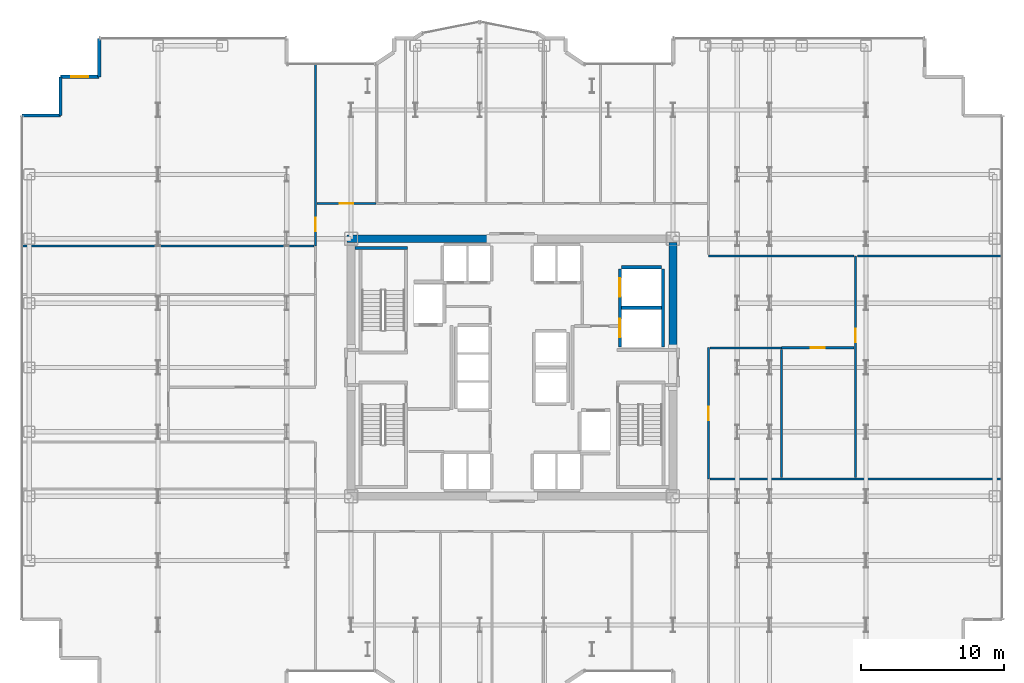
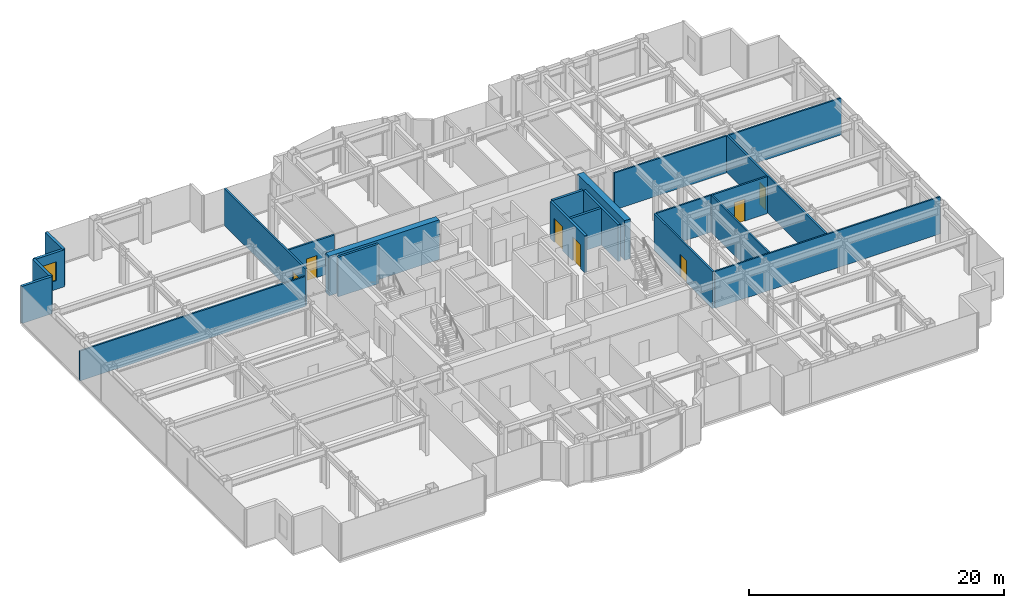
# One storey, part 23 of 26: 22 walls, 7 doors, 1 window, 8 openings.
"""IFC4 building model written with IfcOpenShell, lengths in metres."""

from ifc_helpers import new_model, si_unit, direction, frame, frame_2d, origin, place, context, subcontext, project, spatial, rectangle, extrude, source, transform, mapped, material, layer, layer_set, type_object, element, fill, save


model = new_model("IFC4")

# Units and contexts
model_context = context("Model", 3, precision=1e-05, world=origin(), true_north=direction((0.0, 1.0)))
body_context = subcontext(model_context, "Body", "Model", "MODEL_VIEW")
ifc_project = project(units=[si_unit("LENGTHUNIT", "METRE"), si_unit("AREAUNIT", "SQUARE_METRE"), si_unit("VOLUMEUNIT", "CUBIC_METRE"), si_unit("PLANEANGLEUNIT", "RADIAN"), si_unit("MASSUNIT", "GRAM", prefix="KILO")], contexts=[model_context])

# Site, building, storey
site_placement = place(None, origin())
site = spatial("IfcSite", under=ifc_project, at=site_placement, CompositionType="ELEMENT")
building_placement = place(site_placement, origin())
building = spatial("IfcBuilding", under=site, at=building_placement, Name="Nefas-Gora Pilgrimage Tower", CompositionType="ELEMENT")
storey_placement = place(building_placement, frame((0.0, 0.0, 117.39990234375)))
storey = spatial("IfcBuildingStorey", under=building, at=storey_placement, Name="L28", CompositionType="ELEMENT", Elevation=117.39990234375)

# Walls
ifc_material_1 = material(Name="Concrete C60/75", Category="concrete")
ifc_layer_1 = layer(ifc_material_1, 0.550048828125)
ifc_layer_set_1 = layer_set([ifc_layer_1], Name="Concrete C60/75")
wall_type_1 = type_object("IfcWallType", Name="SW-CORE-550", PredefinedType="SHEAR", material=ifc_layer_set_1)
shared_shape_1 = source(origin(), body_context, "Body", "SweptSolid", [
    extrude(rectangle(XDim=9.974853515625, YDim=0.550048828125, at=frame_2d((4.9873046875, 0.0))), origin(), (0.0, 0.0, 1.0), 3.800048828125),
])
wall_1_placement = place(storey_placement, frame((-11.52490234375, 9.0, 0.0), z_axis=(0.0, 0.0, 1.0), x_axis=(1.0, 0.0, 0.0)))
element("IfcWall", 1, at=wall_1_placement, inside=storey, type_object=wall_type_1, Name="L28 Core Shear Wall N-West", PredefinedType="SHEAR", context=body_context, shape_type="MappedRepresentation", body=[
    mapped(shared_shape_1, transform((0.0, 0.0, 0.0), x_axis=(1.0, 0.0, 0.0), y_axis=(0.0, 1.0, 0.0), z_axis=(0.0, 0.0, 1.0), scale=1.0)),
])
shared_shape_2 = source(origin(), body_context, "Body", "SweptSolid", [
    extrude(rectangle(XDim=7.375, YDim=0.550048828125, at=frame_2d((3.6875, 0.0))), origin(), (0.0, 0.0, 1.0), 3.800048828125),
])
wall_2_placement = place(storey_placement, frame((11.25, 1.35009765625, 0.0), z_axis=(0.0, 0.0, 1.0), x_axis=(0.0, 1.0, 0.0)))
element("IfcWall", 2, at=wall_2_placement, inside=storey, type_object=wall_type_1, Name="L28 Core Shear Wall E-North", PredefinedType="SHEAR", context=body_context, shape_type="MappedRepresentation", body=[
    mapped(shared_shape_2, transform((0.0, 0.0, 0.0), x_axis=(1.0, 0.0, 0.0), y_axis=(0.0, 1.0, 0.0), z_axis=(0.0, 0.0, 1.0), scale=1.0)),
])
ifc_material_2 = material(Name="Precast concrete C45/55", Category="concrete")
ifc_layer_2 = layer(ifc_material_2, 0.239990234375)
ifc_layer_set_2 = layer_set([ifc_layer_2], Name="Precast concrete C45/55")
wall_type_2 = type_object("IfcWallType", Name="EW-SERR-240", PredefinedType="SHEAR", material=ifc_layer_set_2)
shared_shape_3 = source(origin(), body_context, "Body", "SweptSolid", [
    extrude(rectangle(XDim=2.699951171875, YDim=0.239990234375, at=frame_2d((1.35009765625, 0.0))), origin(), (0.0, 0.0, 1.0), 3.550048828125),
])
wall_3_placement = place(storey_placement, frame((-28.8701171875, 23.02001953125, 0.0), z_axis=(0.0, 0.0, 1.0), x_axis=(0.0, -1.0, 0.0)))
element("IfcWall", 3, at=wall_3_placement, inside=storey, type_object=wall_type_2, Name="L28 Serrated Corner Shear Pier Wall 20", PredefinedType="SHEAR", context=body_context, shape_type="MappedRepresentation", body=[
    mapped(shared_shape_3, transform((0.0, 0.0, 0.0), x_axis=(1.0, 0.0, 0.0), y_axis=(0.0, 1.0, 0.0), z_axis=(0.0, 0.0, 1.0), scale=1.0)),
])

# Wall, opening, window
wall_4_placement = place(storey_placement, frame((-28.8701171875, 20.320068359375, 0.0), z_axis=(0.0, 0.0, 1.0), x_axis=(-1.0, 0.0, 0.0)))
wall_4 = element("IfcWall", 4, at=wall_4_placement, inside=storey, type_object=wall_type_2, Name="L28 Serrated Corner Shear Pier Wall 21", PredefinedType="SHEAR", context=body_context, shape_type="MappedRepresentation", body=[
    mapped(shared_shape_3, transform((0.0, 0.0, 0.0), x_axis=(1.0, 0.0, 0.0), y_axis=(0.0, 1.0, 0.0), z_axis=(0.0, 0.0, 1.0), scale=1.0)),
])
opening_1_placement = place(wall_4_placement, frame((0.75, 0.0, 0.85009765625)))
opening_1 = element("IfcOpeningElement", 5, at=opening_1_placement, cuts=wall_4, Name="Opening W-V1", PredefinedType="OPENING", context=body_context, shape_type="SweptSolid", body=[
    extrude(rectangle(XDim=1.199951171875, YDim=1.800048828125, at=frame_2d((0.60009765625, 0.89990234375))), frame((0.0, 0.1298828125, 0.0), z_axis=(0.0, -1.0, 0.0), x_axis=(1.0, 0.0, 0.0)), (0.0, 0.0, 1.0), 0.260009765625),
])
ifc_material_3 = material(Name="Dark ceramic-fritted operable aluminium-glass window", Category="aluminium")
window_type = type_object("IfcWindowType", Name="WIN-VENT-1200x1800", PartitioningType="SINGLE_PANEL", PredefinedType="WINDOW", material=ifc_material_3)
shared_shape_4 = source(origin(), body_context, "Body", "SweptSolid", [
    extrude(rectangle(XDim=1.199951171875, YDim=1.800048828125, at=frame_2d((0.60009765625, 0.89990234375))), frame((0.0, 0.030029296875, 0.0), z_axis=(0.0, -1.0, 0.0), x_axis=(1.0, 0.0, 0.0)), (0.0, 0.0, 1.0), 0.06005859375),
])
window_placement = place(opening_1_placement, origin())
window = element("IfcWindow", 6, at=window_placement, inside=storey, type_object=window_type, Name="L28 Operable Parallel-Outswing Window 21", OverallHeight=1.800048828125, OverallWidth=1.199951171875, PartitioningType="SINGLE_PANEL", PredefinedType="WINDOW", context=body_context, shape_type="MappedRepresentation", body=[
    mapped(shared_shape_4, transform((0.0, 0.0, 0.0), x_axis=(1.0, 0.0, 0.0), y_axis=(0.0, 1.0, 0.0), z_axis=(0.0, 0.0, 1.0), scale=1.0)),
])
fill(opening_1, window)

# Walls
for number, where, z_axis, x_axis, name in (
    (7, (-31.570068359375, 20.320068359375, 0.0), (0.0, 0.0, 1.0), (0.0, -1.0, 0.0), "L28 Serrated Corner Shear Pier Wall 22"),
    (8, (-31.570068359375, 17.6201171875, 0.0), (0.0, 0.0, 1.0), (-1.0, 0.0, 0.0), "L28 Serrated Corner Shear Pier Wall 23"),
):
    element("IfcWall", number, at=place(storey_placement, frame(where, z_axis=z_axis, x_axis=x_axis)), inside=storey, type_object=wall_type_2, Name=name, PredefinedType="SHEAR", context=body_context, shape_type="MappedRepresentation", body=[
        mapped(shared_shape_3, transform((0.0, 0.0, 0.0), x_axis=(1.0, 0.0, 0.0), y_axis=(0.0, 1.0, 0.0), z_axis=(0.0, 0.0, 1.0), scale=1.0)),
    ])
ifc_material_4 = material(Name="Concrete C45/55", Category="concrete")
ifc_layer_3 = layer(ifc_material_4, 0.199951171875)
ifc_layer_set_3 = layer_set([ifc_layer_3], Name="Concrete C45/55")
wall_type_3 = type_object("IfcWallType", Name="IW-STAIR-200", PredefinedType="SOLIDWALL", material=ifc_layer_set_3)
shared_shape_5 = source(origin(), body_context, "Body", "SweptSolid", [
    extrude(rectangle(XDim=3.679931640625, YDim=0.199951171875, at=frame_2d((1.83984375, 0.0))), origin(), (0.0, 0.0, 1.0), 3.800048828125),
])
wall_5_placement = place(storey_placement, frame((-7.300048828125, 8.35009765625, 0.0), z_axis=(0.0, 0.0, 1.0), x_axis=(-1.0, 0.0, 0.0)))
element("IfcWall", 9, at=wall_5_placement, inside=storey, type_object=wall_type_3, Name="L28 Stairwell Shear Wall ST-01-far", PredefinedType="SOLIDWALL", context=body_context, shape_type="MappedRepresentation", body=[
    mapped(shared_shape_5, transform((0.0, 0.0, 0.0), x_axis=(1.0, 0.0, 0.0), y_axis=(0.0, 1.0, 0.0), z_axis=(0.0, 0.0, 1.0), scale=1.0)),
])

# Wall, openings, doors
ifc_material_5 = material(Name="Concrete C40/50", Category="concrete")
ifc_layer_4 = layer(ifc_material_5, 0.219970703125)
ifc_layer_set_4 = layer_set([ifc_layer_4], Name="Concrete C40/50")
wall_type_4 = type_object("IfcWallType", Name="IW-SHAFT-220", PredefinedType="SOLIDWALL", material=ifc_layer_set_4)
shared_shape_6 = source(origin(), body_context, "Body", "SweptSolid", [
    extrude(rectangle(XDim=5.449951171875, YDim=0.219970703125, at=frame_2d((2.72509765625, 0.0))), origin(), (0.0, 0.0, 1.0), 3.53515625),
])
wall_6_placement = place(storey_placement, frame((7.5400390625, 6.89990234375, 0.0), z_axis=(0.0, 0.0, 1.0), x_axis=(0.0, -1.0, 0.0)))
wall_6 = element("IfcWall", 10, at=wall_6_placement, inside=storey, type_object=wall_type_4, Name="L28 Hoistway Wall SL-01-02-W", PredefinedType="SOLIDWALL", context=body_context, shape_type="MappedRepresentation", body=[
    mapped(shared_shape_6, transform((0.0, 0.0, 0.0), x_axis=(1.0, 0.0, 0.0), y_axis=(0.0, 1.0, 0.0), z_axis=(0.0, 0.0, 1.0), scale=1.0)),
])
opening_2_placement = place(wall_6_placement, frame((3.5, 0.0, 0.0)))
opening_2 = element("IfcOpeningElement", 11, at=opening_2_placement, cuts=wall_6, Name="Opening LD-SV", PredefinedType="OPENING", context=body_context, shape_type="SweptSolid", body=[
    extrude(rectangle(XDim=1.300048828125, YDim=2.300048828125, at=frame_2d((0.64990234375, 1.14990234375))), frame((0.0, 0.119873046875, 0.0), z_axis=(0.0, -1.0, 0.0), x_axis=(1.0, 0.0, 0.0)), (0.0, 0.0, 1.0), 0.239990234375),
])
opening_3_placement = place(wall_6_placement, frame((0.64990234375, 0.0, 0.0)))
opening_3 = element("IfcOpeningElement", 12, at=opening_3_placement, cuts=wall_6, Name="Opening LD-SV", PredefinedType="OPENING", context=body_context, shape_type="SweptSolid", body=[
    extrude(rectangle(XDim=1.300048828125, YDim=2.300048828125, at=frame_2d((0.64990234375, 1.14990234375))), frame((0.0, 0.119873046875, 0.0), z_axis=(0.0, -1.0, 0.0), x_axis=(1.0, 0.0, 0.0)), (0.0, 0.0, 1.0), 0.239990234375),
])
ifc_material_6 = material(Name="Heavy goods sliding lift landing door")
door_type_1 = type_object("IfcDoorType", Name="DR-LIFT-SERV-1300", OperationType="SLIDING_TO_RIGHT", PredefinedType="DOOR", material=ifc_material_6)
shared_shape_7 = source(origin(), body_context, "Body", "SweptSolid", [
    extrude(rectangle(XDim=1.300048828125, YDim=2.300048828125, at=frame_2d((0.64990234375, 1.14990234375))), frame((0.0, 0.02490234375, 0.0), z_axis=(0.0, -1.0, 0.0), x_axis=(1.0, 0.0, 0.0)), (0.0, 0.0, 1.0), 0.050048828125),
])
door_1_placement = place(opening_2_placement, origin())
door_1 = element("IfcDoor", 13, at=door_1_placement, inside=storey, type_object=door_type_1, Name="L28 Sliding Lift Landing Door SL-01", OperationType="SLIDING_TO_RIGHT", OverallHeight=2.300048828125, OverallWidth=1.300048828125, PredefinedType="DOOR", context=body_context, shape_type="MappedRepresentation", body=[
    mapped(shared_shape_7, transform((0.0, 0.0, 0.0), x_axis=(1.0, 0.0, 0.0), y_axis=(0.0, 1.0, 0.0), z_axis=(0.0, 0.0, 1.0), scale=1.0)),
])
fill(opening_2, door_1)
door_2_placement = place(opening_3_placement, origin())
door_2 = element("IfcDoor", 14, at=door_2_placement, inside=storey, type_object=door_type_1, Name="L28 Sliding Lift Landing Door SL-02", OperationType="SLIDING_TO_RIGHT", OverallHeight=2.300048828125, OverallWidth=1.300048828125, PredefinedType="DOOR", context=body_context, shape_type="MappedRepresentation", body=[
    mapped(shared_shape_7, transform((0.0, 0.0, 0.0), x_axis=(1.0, 0.0, 0.0), y_axis=(0.0, 1.0, 0.0), z_axis=(0.0, 0.0, 1.0), scale=1.0)),
])
fill(opening_3, door_2)

# Walls
wall_7_placement = place(storey_placement, frame((10.56005859375, 1.449951171875, 0.0), z_axis=(0.0, 0.0, 1.0), x_axis=(0.0, 1.0, 0.0)))
element("IfcWall", 15, at=wall_7_placement, inside=storey, type_object=wall_type_4, Name="L28 Hoistway Wall SL-01-02-E", PredefinedType="SOLIDWALL", context=body_context, shape_type="MappedRepresentation", body=[
    mapped(shared_shape_6, transform((0.0, 0.0, 0.0), x_axis=(1.0, 0.0, 0.0), y_axis=(0.0, 1.0, 0.0), z_axis=(0.0, 0.0, 1.0), scale=1.0)),
])
shared_shape_8 = source(origin(), body_context, "Body", "SweptSolid", [
    extrude(rectangle(XDim=2.780029296875, YDim=0.219970703125, at=frame_2d((1.39013671875, 0.0))), origin(), (0.0, 0.0, 1.0), 3.53515625),
])
for number, where, z_axis, x_axis, name in (
    (16, (7.659912109375, 4.175048828125, 0.0), (0.0, 0.0, 1.0), (1.0, 0.0, 0.0), "L28 Hoistway Wall SL-01-02-DIV"),
    (17, (10.43994140625, 7.010009765625, 0.0), (0.0, 0.0, 1.0), (-1.0, 0.0, 0.0), "L28 Hoistway Wall SL-02-N"),
):
    element("IfcWall", number, at=place(storey_placement, frame(where, z_axis=z_axis, x_axis=x_axis)), inside=storey, type_object=wall_type_4, Name=name, PredefinedType="SOLIDWALL", context=body_context, shape_type="MappedRepresentation", body=[
        mapped(shared_shape_8, transform((0.0, 0.0, 0.0), x_axis=(1.0, 0.0, 0.0), y_axis=(0.0, 1.0, 0.0), z_axis=(0.0, 0.0, 1.0), scale=1.0)),
    ])

# Wall, opening, door
ifc_material_7 = material(Name="Gypsum acoustic stud partition")
ifc_layer_5 = layer(ifc_material_7, 0.159912109375)
ifc_layer_set_5 = layer_set([ifc_layer_5], Name="Gypsum acoustic stud partition")
wall_type_5 = type_object("IfcWallType", Name="IW-CORR-160", PredefinedType="PARTITIONING", material=ifc_layer_set_5)
shared_shape_9 = source(origin(), body_context, "Body", "SweptSolid", [
    extrude(rectangle(XDim=12.744873046875, YDim=0.159912109375, at=frame_2d((6.37255859375, 0.0))), origin(), (0.0, 0.0, 1.0), 3.53515625),
])
wall_8_placement = place(storey_placement, frame((-13.739990234375, 8.4951171875, 0.0), z_axis=(0.0, 0.0, 1.0), x_axis=(0.0, 1.0, 0.0)))
wall_8 = element("IfcWall", 18, at=wall_8_placement, inside=storey, type_object=wall_type_5, Name="L28 Pilgrim Fellowship Seminar Room Partition Wall 33", PredefinedType="PARTITIONING", context=body_context, shape_type="MappedRepresentation", body=[
    mapped(shared_shape_9, transform((0.0, 0.0, 0.0), x_axis=(1.0, 0.0, 0.0), y_axis=(0.0, 1.0, 0.0), z_axis=(0.0, 0.0, 1.0), scale=1.0)),
])
opening_4_placement = place(wall_8_placement, frame((1.032470703125, 0.0, 0.0)))
opening_4 = element("IfcOpeningElement", 19, at=opening_4_placement, cuts=wall_8, Name="Opening ID-GR1", PredefinedType="OPENING", context=body_context, shape_type="SweptSolid", body=[
    extrude(rectangle(XDim=0.949951171875, YDim=2.10009765625, at=frame_2d((0.47509765625, 1.050048828125))), frame((0.0, 0.08984375, 0.0), z_axis=(0.0, -1.0, 0.0), x_axis=(1.0, 0.0, 0.0)), (0.0, 0.0, 1.0), 0.179931640625),
])
ifc_material_8 = material(Name="Solid core oak fire-rated guest entrance door")
door_type_2 = type_object("IfcDoorType", Name="DR-INT-GUEST-950", OperationType="NOTDEFINED", PredefinedType="DOOR", material=ifc_material_8)
shared_shape_10 = source(origin(), body_context, "Body", "SweptSolid", [
    extrude(rectangle(XDim=0.949951171875, YDim=2.10009765625, at=frame_2d((0.47509765625, 1.050048828125))), frame((0.0, 0.02490234375, 0.0), z_axis=(0.0, -1.0, 0.0), x_axis=(1.0, 0.0, 0.0)), (0.0, 0.0, 1.0), 0.050048828125),
])
door_3_placement = place(opening_4_placement, origin())
door_3 = element("IfcDoor", 20, at=door_3_placement, inside=storey, type_object=door_type_2, Name="L28 Pilgrim Fellowship Seminar Room Door 14", OperationType="SINGLE_SWING_LEFT", OverallHeight=2.10009765625, OverallWidth=0.949951171875, PredefinedType="DOOR", context=body_context, shape_type="MappedRepresentation", body=[
    mapped(shared_shape_10, transform((0.0, 0.0, 0.0), x_axis=(1.0, 0.0, 0.0), y_axis=(0.0, 1.0, 0.0), z_axis=(0.0, 0.0, 1.0), scale=1.0)),
])
fill(opening_4, door_3)

# Walls
ifc_material_9 = material(Name="Gypsum twin-stud partition")
ifc_layer_6 = layer(ifc_material_9, 0.139892578125)
ifc_layer_set_6 = layer_set([ifc_layer_6], Name="Gypsum twin-stud partition")
wall_type_6 = type_object("IfcWallType", Name="IW-UNIT-140", PredefinedType="PARTITIONING", material=ifc_layer_set_6)
shared_shape_11 = source(origin(), body_context, "Body", "SweptSolid", [
    extrude(rectangle(XDim=10.169921875, YDim=0.139892578125, at=frame_2d((5.0849609375, 0.0))), origin(), (0.0, 0.0, 1.0), 3.53515625),
])
wall_9_placement = place(storey_placement, frame((13.72998046875, 7.794921875, 0.0), z_axis=(0.0, 0.0, 1.0), x_axis=(1.0, 0.0, 0.0)))
element("IfcWall", 21, at=wall_9_placement, inside=storey, type_object=wall_type_6, Name="L28 Pilgrim Fellowship Seminar Room Partition Wall 37", PredefinedType="PARTITIONING", context=body_context, shape_type="MappedRepresentation", body=[
    mapped(shared_shape_11, transform((0.0, 0.0, 0.0), x_axis=(1.0, 0.0, 0.0), y_axis=(0.0, 1.0, 0.0), z_axis=(0.0, 0.0, 1.0), scale=1.0)),
])
shared_shape_12 = source(origin(), body_context, "Body", "SweptSolid", [
    extrude(rectangle(XDim=4.994873046875, YDim=0.139892578125, at=frame_2d((2.49755859375, 0.0))), origin(), (0.0, 0.0, 1.0), 3.53515625),
])
wall_10_placement = place(storey_placement, frame((13.860107421875, 1.3798828125, 0.0), z_axis=(0.0, 0.0, 1.0), x_axis=(1.0, 0.0, 0.0)))
element("IfcWall", 22, at=wall_10_placement, inside=storey, type_object=wall_type_6, Name="L28 Pilgrim Contemplative Lounge Partition Wall 40", PredefinedType="PARTITIONING", context=body_context, shape_type="MappedRepresentation", body=[
    mapped(shared_shape_12, transform((0.0, 0.0, 0.0), x_axis=(1.0, 0.0, 0.0), y_axis=(0.0, 1.0, 0.0), z_axis=(0.0, 0.0, 1.0), scale=1.0)),
])

# Wall, opening, door
shared_shape_13 = source(origin(), body_context, "Body", "SweptSolid", [
    extrude(rectangle(XDim=5.044921875, YDim=0.159912109375, at=frame_2d((2.5224609375, 0.0))), origin(), (0.0, 0.0, 1.0), 3.53515625),
])
wall_11_placement = place(storey_placement, frame((18.85498046875, 1.3798828125, 0.0), z_axis=(0.0, 0.0, 1.0), x_axis=(1.0, 0.0, 0.0)))
wall_11 = element("IfcWall", 23, at=wall_11_placement, inside=storey, type_object=wall_type_5, Name="L28 Pilgrim Contemplative Lounge Partition Wall 42", PredefinedType="PARTITIONING", context=body_context, shape_type="MappedRepresentation", body=[
    mapped(shared_shape_13, transform((0.0, 0.0, 0.0), x_axis=(1.0, 0.0, 0.0), y_axis=(0.0, 1.0, 0.0), z_axis=(0.0, 0.0, 1.0), scale=1.0)),
])
opening_5_placement = place(wall_11_placement, frame((2.047607421875, 0.0, 0.0)))
opening_5 = element("IfcOpeningElement", 24, at=opening_5_placement, cuts=wall_11, Name="Opening ID-GR1", PredefinedType="OPENING", context=body_context, shape_type="SweptSolid", body=[
    extrude(rectangle(XDim=0.949951171875, YDim=2.10009765625, at=frame_2d((0.47509765625, 1.050048828125))), frame((0.0, 0.08984375, 0.0), z_axis=(0.0, -1.0, 0.0), x_axis=(1.0, 0.0, 0.0)), (0.0, 0.0, 1.0), 0.179931640625),
])
door_4_placement = place(opening_5_placement, origin())
door_4 = element("IfcDoor", 25, at=door_4_placement, inside=storey, type_object=door_type_2, Name="L28 Pilgrim Contemplative Lounge Door 18", OperationType="SINGLE_SWING_LEFT", OverallHeight=2.10009765625, OverallWidth=0.949951171875, PredefinedType="DOOR", context=body_context, shape_type="MappedRepresentation", body=[
    mapped(shared_shape_10, transform((0.0, 0.0, 0.0), x_axis=(1.0, 0.0, 0.0), y_axis=(0.0, 1.0, 0.0), z_axis=(0.0, 0.0, 1.0), scale=1.0)),
])
fill(opening_5, door_4)

shared_shape_14 = source(origin(), body_context, "Body", "SweptSolid", [
    extrude(rectangle(XDim=4.125, YDim=0.159912109375, at=frame_2d((2.0625, 0.0))), origin(), (0.0, 0.0, 1.0), 3.53515625),
])
wall_12_placement = place(storey_placement, frame((-13.6201171875, 11.469970703125, 0.0), z_axis=(0.0, 0.0, 1.0), x_axis=(1.0, 0.0, 0.0)))
wall_12 = element("IfcWall", 26, at=wall_12_placement, inside=storey, type_object=wall_type_5, Name="L28 Pilgrim Contemplative Lounge Partition Wall 44", PredefinedType="PARTITIONING", context=body_context, shape_type="MappedRepresentation", body=[
    mapped(shared_shape_14, transform((0.0, 0.0, 0.0), x_axis=(1.0, 0.0, 0.0), y_axis=(0.0, 1.0, 0.0), z_axis=(0.0, 0.0, 1.0), scale=1.0)),
])
opening_6_placement = place(wall_12_placement, frame((1.58740234375, 0.0, 0.0)))
opening_6 = element("IfcOpeningElement", 27, at=opening_6_placement, cuts=wall_12, Name="Opening ID-GR1", PredefinedType="OPENING", context=body_context, shape_type="SweptSolid", body=[
    extrude(rectangle(XDim=0.949951171875, YDim=2.10009765625, at=frame_2d((0.47509765625, 1.050048828125))), frame((0.0, 0.08984375, 0.0), z_axis=(0.0, -1.0, 0.0), x_axis=(1.0, 0.0, 0.0)), (0.0, 0.0, 1.0), 0.179931640625),
])
door_5_placement = place(opening_6_placement, origin())
door_5 = element("IfcDoor", 28, at=door_5_placement, inside=storey, type_object=door_type_2, Name="L28 Pilgrim Contemplative Lounge Door 20", OperationType="SINGLE_SWING_LEFT", OverallHeight=2.10009765625, OverallWidth=0.949951171875, PredefinedType="DOOR", context=body_context, shape_type="MappedRepresentation", body=[
    mapped(shared_shape_10, transform((0.0, 0.0, 0.0), x_axis=(1.0, 0.0, 0.0), y_axis=(0.0, 1.0, 0.0), z_axis=(0.0, 0.0, 1.0), scale=1.0)),
])
fill(opening_6, door_5)

# Walls
shared_shape_15 = source(origin(), body_context, "Body", "SweptSolid", [
    extrude(rectangle(XDim=20.429931640625, YDim=0.139892578125, at=frame_2d((10.21484375, 0.0))), origin(), (0.0, 0.0, 1.0), 3.53515625),
])
wall_13_placement = place(storey_placement, frame((13.860107421875, -7.804931640625, 0.0), z_axis=(0.0, 0.0, 1.0), x_axis=(1.0, 0.0, 0.0)))
element("IfcWall", 29, at=wall_13_placement, inside=storey, type_object=wall_type_6, Name="L28 Pilgrim Fellowship Seminar Room Partition Wall 35", PredefinedType="PARTITIONING", context=body_context, shape_type="MappedRepresentation", body=[
    mapped(shared_shape_15, transform((0.0, 0.0, 0.0), x_axis=(1.0, 0.0, 0.0), y_axis=(0.0, 1.0, 0.0), z_axis=(0.0, 0.0, 1.0), scale=1.0)),
])
shared_shape_16 = source(origin(), body_context, "Body", "SweptSolid", [
    extrude(rectangle(XDim=10.150146484375, YDim=0.139892578125, at=frame_2d((5.0751953125, 0.0))), origin(), (0.0, 0.0, 1.0), 3.53515625),
])
wall_14_placement = place(storey_placement, frame((24.139892578125, 7.794921875, 0.0), z_axis=(0.0, 0.0, 1.0), x_axis=(1.0, 0.0, 0.0)))
element("IfcWall", 30, at=wall_14_placement, inside=storey, type_object=wall_type_6, Name="L28 Pilgrim Fellowship Seminar Room Partition Wall 38", PredefinedType="PARTITIONING", context=body_context, shape_type="MappedRepresentation", body=[
    mapped(shared_shape_16, transform((0.0, 0.0, 0.0), x_axis=(1.0, 0.0, 0.0), y_axis=(0.0, 1.0, 0.0), z_axis=(0.0, 0.0, 1.0), scale=1.0)),
])
shared_shape_17 = source(origin(), body_context, "Body", "SweptSolid", [
    extrude(rectangle(XDim=20.429931640625, YDim=0.139892578125, at=frame_2d((10.21484375, 0.0))), origin(), (0.0, 0.0, 1.0), 2.875),
])
wall_15_placement = place(storey_placement, frame((-34.2900390625, 8.4951171875, 0.0), z_axis=(0.0, 0.0, 1.0), x_axis=(1.0, 0.0, 0.0)))
element("IfcWall", 31, at=wall_15_placement, inside=storey, type_object=wall_type_6, Name="L28 Pilgrim Fellowship Seminar Room Partition Wall 32", PredefinedType="PARTITIONING", context=body_context, shape_type="MappedRepresentation", body=[
    mapped(shared_shape_17, transform((0.0, 0.0, 0.0), x_axis=(1.0, 0.0, 0.0), y_axis=(0.0, 1.0, 0.0), z_axis=(0.0, 0.0, 1.0), scale=1.0)),
])

# Wall, opening, door
shared_shape_18 = source(origin(), body_context, "Body", "SweptSolid", [
    extrude(rectangle(XDim=15.5, YDim=0.159912109375, at=frame_2d((7.75, 0.0))), origin(), (0.0, 0.0, 1.0), 3.53515625),
])
wall_16_placement = place(storey_placement, frame((24.02001953125, -7.695068359375, 0.0), z_axis=(0.0, 0.0, 1.0), x_axis=(0.0, 1.0, 0.0)))
wall_16 = element("IfcWall", 32, at=wall_16_placement, inside=storey, type_object=wall_type_5, Name="L28 Pilgrim Fellowship Seminar Room Partition Wall 36", PredefinedType="PARTITIONING", context=body_context, shape_type="MappedRepresentation", body=[
    mapped(shared_shape_18, transform((0.0, 0.0, 0.0), x_axis=(1.0, 0.0, 0.0), y_axis=(0.0, 1.0, 0.0), z_axis=(0.0, 0.0, 1.0), scale=1.0)),
])
opening_7_placement = place(wall_16_placement, frame((9.469970703125, 0.0, 0.0)))
opening_7 = element("IfcOpeningElement", 33, at=opening_7_placement, cuts=wall_16, Name="Opening ID-GR1", PredefinedType="OPENING", context=body_context, shape_type="SweptSolid", body=[
    extrude(rectangle(XDim=0.949951171875, YDim=2.10009765625, at=frame_2d((0.47509765625, 1.050048828125))), frame((0.0, 0.08984375, 0.0), z_axis=(0.0, -1.0, 0.0), x_axis=(1.0, 0.0, 0.0)), (0.0, 0.0, 1.0), 0.179931640625),
])
door_6_placement = place(opening_7_placement, origin())
door_6 = element("IfcDoor", 34, at=door_6_placement, inside=storey, type_object=door_type_2, Name="L28 Pilgrim Fellowship Seminar Room Door 16", OperationType="SINGLE_SWING_LEFT", OverallHeight=2.10009765625, OverallWidth=0.949951171875, PredefinedType="DOOR", context=body_context, shape_type="MappedRepresentation", body=[
    mapped(shared_shape_10, transform((0.0, 0.0, 0.0), x_axis=(1.0, 0.0, 0.0), y_axis=(0.0, 1.0, 0.0), z_axis=(0.0, 0.0, 1.0), scale=1.0)),
])
fill(opening_7, door_6)

shared_shape_19 = source(origin(), body_context, "Body", "SweptSolid", [
    extrude(rectangle(XDim=9.19482421875, YDim=0.159912109375, at=frame_2d((4.597412109375, 0.0))), origin(), (0.0, 0.0, 1.0), 3.53515625),
])
wall_17_placement = place(storey_placement, frame((13.739990234375, -7.804931640625, 0.0), z_axis=(0.0, 0.0, 1.0), x_axis=(0.0, 1.0, 0.0)))
wall_17 = element("IfcWall", 35, at=wall_17_placement, inside=storey, type_object=wall_type_5, Name="L28 Pilgrim Contemplative Lounge Partition Wall 39", PredefinedType="PARTITIONING", context=body_context, shape_type="MappedRepresentation", body=[
    mapped(shared_shape_19, transform((0.0, 0.0, 0.0), x_axis=(1.0, 0.0, 0.0), y_axis=(0.0, 1.0, 0.0), z_axis=(0.0, 0.0, 1.0), scale=1.0)),
])
opening_8_placement = place(wall_17_placement, frame((4.12255859375, 0.0, 0.0)))
opening_8 = element("IfcOpeningElement", 36, at=opening_8_placement, cuts=wall_17, Name="Opening ID-GR1", PredefinedType="OPENING", context=body_context, shape_type="SweptSolid", body=[
    extrude(rectangle(XDim=0.949951171875, YDim=2.10009765625, at=frame_2d((0.47509765625, 1.050048828125))), frame((0.0, 0.08984375, 0.0), z_axis=(0.0, -1.0, 0.0), x_axis=(1.0, 0.0, 0.0)), (0.0, 0.0, 1.0), 0.179931640625),
])
door_7_placement = place(opening_8_placement, origin())
door_7 = element("IfcDoor", 37, at=door_7_placement, inside=storey, type_object=door_type_2, Name="L28 Pilgrim Contemplative Lounge Door 17", OperationType="SINGLE_SWING_RIGHT", OverallHeight=2.10009765625, OverallWidth=0.949951171875, PredefinedType="DOOR", context=body_context, shape_type="MappedRepresentation", body=[
    mapped(shared_shape_10, transform((0.0, 0.0, 0.0), x_axis=(1.0, 0.0, 0.0), y_axis=(0.0, 1.0, 0.0), z_axis=(0.0, 0.0, 1.0), scale=1.0)),
])
fill(opening_8, door_7)

# Wall
shared_shape_20 = source(origin(), body_context, "Body", "SweptSolid", [
    extrude(rectangle(XDim=8.965087890625, YDim=0.139892578125, at=frame_2d((4.482421875, 0.0))), origin(), (0.0, 0.0, 1.0), 3.53515625),
])
wall_18_placement = place(storey_placement, frame((18.844970703125, -7.695068359375, 0.0), z_axis=(0.0, 0.0, 1.0), x_axis=(0.0, 1.0, 0.0)))
element("IfcWall", 38, at=wall_18_placement, inside=storey, type_object=wall_type_6, Name="L28 Pilgrim Contemplative Lounge Partition Wall 41", PredefinedType="PARTITIONING", context=body_context, shape_type="MappedRepresentation", body=[
    mapped(shared_shape_20, transform((0.0, 0.0, 0.0), x_axis=(1.0, 0.0, 0.0), y_axis=(0.0, 1.0, 0.0), z_axis=(0.0, 0.0, 1.0), scale=1.0)),
])

save(model, "model.ifc")
